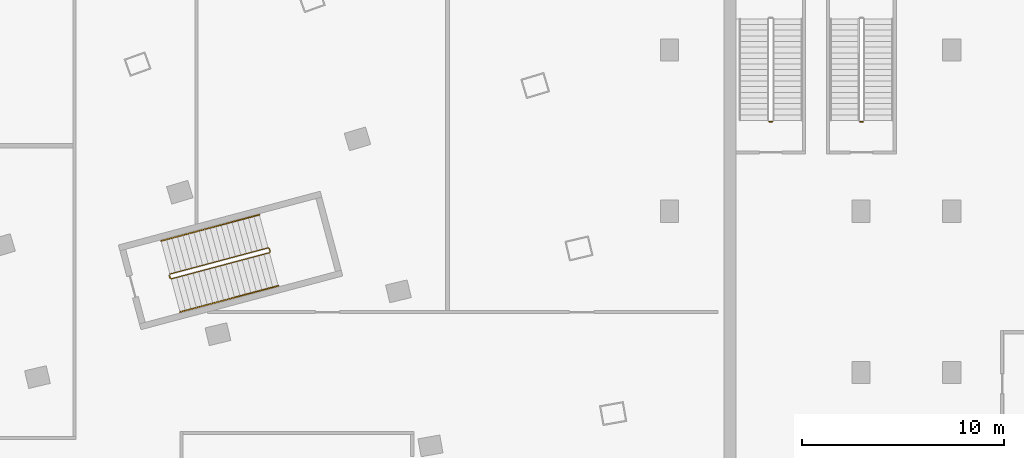
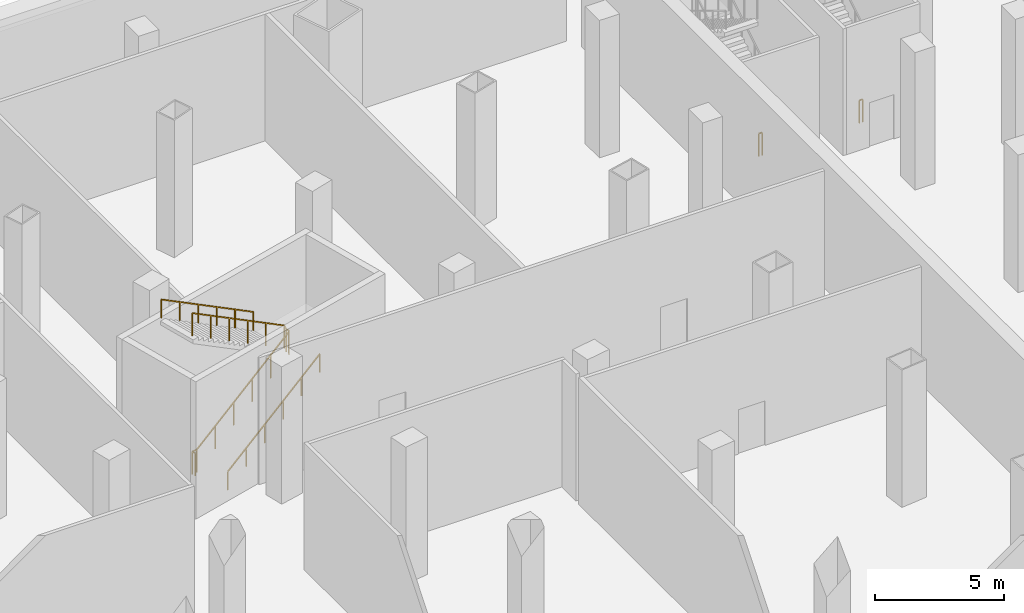
# One storey, part 14 of 16: 5 railings.
"""IFC4 building model written with IfcOpenShell, lengths in metres."""

from ifc_helpers import new_model, si_unit, direction, frame, origin, origin_2d, place, context, subcontext, project, spatial, rectangle, extrude, material, type_object, element, save


model = new_model("IFC4")

# Units and contexts
model_context = context("Model", 3, precision=1e-05, world=origin(), true_north=direction((0.0, 1.0)))
body_context = subcontext(model_context, "Body", "Model", "MODEL_VIEW")
ifc_project = project(units=[si_unit("LENGTHUNIT", "METRE"), si_unit("AREAUNIT", "SQUARE_METRE"), si_unit("VOLUMEUNIT", "CUBIC_METRE"), si_unit("PLANEANGLEUNIT", "RADIAN"), si_unit("MASSUNIT", "GRAM", prefix="KILO")], contexts=[model_context])

# Site, building, storey
site_placement = place(None, origin())
site = spatial("IfcSite", under=ifc_project, at=site_placement, CompositionType="ELEMENT")
building_placement = place(site_placement, origin())
building = spatial("IfcBuilding", under=site, at=building_placement, Name="Alderwake Tower", CompositionType="ELEMENT")
storey_placement = place(building_placement, frame((0.0, 0.0, -6.5)))
storey = spatial("IfcBuildingStorey", under=building, at=storey_placement, Name="B1", CompositionType="ELEMENT", Elevation=-6.5)

# Railings
ifc_material_1 = material(Name="Stainless steel guard", Category="steel")
railing_type_1 = type_object("IfcRailingType", Name="Stair guard 1100", PredefinedType="GUARDRAIL", material=ifc_material_1)
railing_1_placement = place(storey_placement, frame((39.23291015625, 92.6806640625, 0.0)))
element("IfcRailing", 1, at=railing_1_placement, inside=storey, type_object=railing_type_1, Name="B1 ST-A stair guard 1", PredefinedType="GUARDRAIL", context=body_context, shape_type="SweptSolid", body=[
    extrude(rectangle(XDim=0.048095703125, YDim=0.048095703125, at=origin_2d()), frame((0.0, 0.0, 1.076171875), z_axis=(-0.257055032184, 0.966396766566, 0.0), x_axis=(-0.966396766566, -0.257055032184, 0.0)), (0.0, 0.0, 1.0), 0.150146484375),
    extrude(rectangle(XDim=0.048095703125, YDim=0.048095703125, at=origin_2d()), frame((-0.03857421875, 0.14501953125, 1.076171875), z_axis=(0.372619250439, -0.673265589423, 0.638645707964), x_axis=(0.874937996095, 0.484234966715, 0.0)), (0.0, 0.0, 1.0), 0.26806640625),
    extrude(rectangle(XDim=0.048095703125, YDim=0.048095703125, at=origin_2d()), frame((0.061279296875, -0.035400390625, 1.2470703125), z_axis=(0.824608320298, 0.219669571589, 0.521312188053), x_axis=(-0.257415412185, 0.966300835956, 0.0)), (0.0, 0.0, 1.0), 5.906005859375),
    extrude(rectangle(XDim=0.048095703125, YDim=0.048095703125, at=origin_2d()), frame((4.931396484375, 1.261962890625, 4.326171875), z_axis=(0.501718089772, 0.865031189262, 0.0), x_axis=(-0.865031189262, 0.501718089772, 0.0)), (0.0, 0.0, 1.0), 0.070556640625),
    extrude(rectangle(XDim=0.048095703125, YDim=0.048095703125, at=origin_2d()), frame((4.966796875, 1.322998046875, 4.326171875), z_axis=(-0.257055032184, 0.966396766566, 0.0), x_axis=(-0.966396766566, -0.257055032184, 0.0)), (0.0, 0.0, 1.0), 0.150146484375),
    extrude(rectangle(XDim=0.048095703125, YDim=0.048095703125, at=origin_2d()), frame((4.92822265625, 1.468017578125, 4.326171875), z_axis=(-0.329711453596, 0.191232643086, 0.924510915883), x_axis=(-0.501718089772, -0.865031189262, 0.0)), (0.0, 0.0, 1.0), 0.18505859375),
    extrude(rectangle(XDim=0.048095703125, YDim=0.048095703125, at=origin_2d()), frame((4.8671875, 1.50341796875, 4.4970703125), z_axis=(-0.82462903563, -0.219622741306, 0.521299151252), x_axis=(0.257358133295, -0.966316092812, 0.0)), (0.0, 0.0, 1.0), 5.906005859375),
    extrude(rectangle(XDim=0.0419921875, YDim=0.0419921875, at=origin_2d()), frame((0.0, 0.0, 0.0), z_axis=(0.0, 0.0, 1.0), x_axis=(-0.257055032184, 0.966396766566, 0.0)), (0.0, 0.0, 1.0), 1.052001953125),
    extrude(rectangle(XDim=0.0419921875, YDim=0.0419921875, at=origin_2d()), frame((-0.03857421875, 0.14501953125, 0.0), z_axis=(0.0, 0.0, 1.0), x_axis=(0.484234966715, -0.874937996095, 0.0)), (0.0, 0.0, 1.0), 1.052001953125),
    extrude(rectangle(XDim=0.0419921875, YDim=0.0419921875, at=origin_2d()), frame((0.061279296875, -0.035400390625, 0.171142578125), z_axis=(0.0, 0.0, 1.0), x_axis=(0.966300835956, 0.257415412185, 0.0)), (0.0, 0.0, 1.0), 1.052001953125),
    extrude(rectangle(XDim=0.0419921875, YDim=0.0419921875, at=origin_2d()), frame((1.035400390625, 0.22412109375, 0.786865234375), z_axis=(0.0, 0.0, 1.0), x_axis=(0.966300835956, 0.257415412185, 0.0)), (0.0, 0.0, 1.0), 1.052001953125),
    extrude(rectangle(XDim=0.0419921875, YDim=0.0419921875, at=origin_2d()), frame((2.00927734375, 0.483642578125, 1.402587890625), z_axis=(0.0, 0.0, 1.0), x_axis=(0.966300835956, 0.257415412185, 0.0)), (0.0, 0.0, 1.0), 1.052001953125),
    extrude(rectangle(XDim=0.0419921875, YDim=0.0419921875, at=origin_2d()), frame((2.9833984375, 0.742919921875, 2.0185546875), z_axis=(0.0, 0.0, 1.0), x_axis=(0.966300835956, 0.257415412185, 0.0)), (0.0, 0.0, 1.0), 1.052001953125),
    extrude(rectangle(XDim=0.0419921875, YDim=0.0419921875, at=origin_2d()), frame((3.957275390625, 1.00244140625, 2.63427734375), z_axis=(0.0, 0.0, 1.0), x_axis=(0.966300835956, 0.257415412185, 0.0)), (0.0, 0.0, 1.0), 1.052001953125),
    extrude(rectangle(XDim=0.0419921875, YDim=0.0419921875, at=origin_2d()), frame((4.931396484375, 1.261962890625, 3.25), z_axis=(0.0, 0.0, 1.0), x_axis=(0.501718089772, 0.865031189262, 0.0)), (0.0, 0.0, 1.0), 1.052001953125),
    extrude(rectangle(XDim=0.0419921875, YDim=0.0419921875, at=origin_2d()), frame((4.966796875, 1.322998046875, 3.25), z_axis=(0.0, 0.0, 1.0), x_axis=(-0.257055032184, 0.966396766566, 0.0)), (0.0, 0.0, 1.0), 1.052001953125),
    extrude(rectangle(XDim=0.0419921875, YDim=0.0419921875, at=origin_2d()), frame((4.92822265625, 1.468017578125, 3.25), z_axis=(0.0, 0.0, 1.0), x_axis=(-0.865031189262, 0.501718089772, 0.0)), (0.0, 0.0, 1.0), 1.052001953125),
    extrude(rectangle(XDim=0.0419921875, YDim=0.0419921875, at=origin_2d()), frame((4.8671875, 1.50341796875, 3.421142578125), z_axis=(0.0, 0.0, 1.0), x_axis=(-0.966316092812, -0.257358133295, 0.0)), (0.0, 0.0, 1.0), 1.052001953125),
    extrude(rectangle(XDim=0.0419921875, YDim=0.0419921875, at=origin_2d()), frame((3.89306640625, 1.243896484375, 4.036865234375), z_axis=(0.0, 0.0, 1.0), x_axis=(-0.966316092812, -0.257358133295, 0.0)), (0.0, 0.0, 1.0), 1.052001953125),
    extrude(rectangle(XDim=0.0419921875, YDim=0.0419921875, at=origin_2d()), frame((2.9189453125, 0.984619140625, 4.652587890625), z_axis=(0.0, 0.0, 1.0), x_axis=(-0.966316092812, -0.257358133295, 0.0)), (0.0, 0.0, 1.0), 1.052001953125),
    extrude(rectangle(XDim=0.0419921875, YDim=0.0419921875, at=origin_2d()), frame((1.945068359375, 0.72509765625, 5.2685546875), z_axis=(0.0, 0.0, 1.0), x_axis=(-0.966316092812, -0.257358133295, 0.0)), (0.0, 0.0, 1.0), 1.052001953125),
    extrude(rectangle(XDim=0.0419921875, YDim=0.0419921875, at=origin_2d()), frame((0.970947265625, 0.4658203125, 5.88427734375), z_axis=(0.0, 0.0, 1.0), x_axis=(-0.966316092812, -0.257358133295, 0.0)), (0.0, 0.0, 1.0), 1.052001953125),
    extrude(rectangle(XDim=0.0419921875, YDim=0.0419921875, at=origin_2d()), frame((-0.003173828125, 0.206298828125, 6.5), z_axis=(0.0, 0.0, 1.0), x_axis=(-0.966316092812, -0.257358133295, 0.0)), (0.0, 0.0, 1.0), 1.052001953125),
])
for number, where, name in (
    (2, (69.10009765625, 100.449951171875, 0.0), "B1 ST-S3 stair guard 4"),
    (3, (73.60009765625, 100.449951171875, 0.0), "B1 ST-S4 stair guard 4"),
):
    element("IfcRailing", number, at=place(storey_placement, frame(where)), inside=storey, type_object=railing_type_1, Name=name, PredefinedType="GUARDRAIL", context=body_context, shape_type="SweptSolid", body=[
        extrude(rectangle(XDim=0.048095703125, YDim=0.048095703125, at=origin_2d()), frame((0.0, 0.0, 1.076171875), z_axis=(-1.0, 0.0, 0.0), x_axis=(0.0, -1.0, 0.0)), (0.0, 0.0, 1.0), 0.150146484375),
        extrude(rectangle(XDim=0.0419921875, YDim=0.0419921875, at=origin_2d()), frame((0.0, 0.0, 0.0), z_axis=(0.0, 0.0, 1.0), x_axis=(-1.0, 0.0, 0.0)), (0.0, 0.0, 1.0), 1.052001953125),
        extrude(rectangle(XDim=0.0419921875, YDim=0.0419921875, at=origin_2d()), frame((-0.150146484375, 0.0, 0.0), z_axis=(0.0, 0.0, 1.0), x_axis=(-1.0, 0.0, 0.0)), (0.0, 0.0, 1.0), 1.052001953125),
    ])
ifc_material_2 = material(Name="Stainless steel handrail", Category="steel")
railing_type_2 = type_object("IfcRailingType", Name="Stair handrail 900", PredefinedType="HANDRAIL", material=ifc_material_2)
railing_2_placement = place(storey_placement, frame((39.731689453125, 91.002685546875, 0.171142578125)))
element("IfcRailing", 4, at=railing_2_placement, inside=storey, type_object=railing_type_2, Name="B1 ST-A stair handrail 1", PredefinedType="HANDRAIL", context=body_context, shape_type="SweptSolid", body=[
    extrude(rectangle(XDim=0.048095703125, YDim=0.048095703125, at=origin_2d()), frame((0.0, 0.0, 0.8759765625), z_axis=(0.824615807698, 0.219630227908, 0.52131692154), x_axis=(-0.257370180181, 0.966312884294, 0.0)), (0.0, 0.0, 1.0), 5.906005859375),
    extrude(rectangle(XDim=0.0419921875, YDim=0.0419921875, at=origin_2d()), frame((0.0, 0.0, 0.0), z_axis=(0.0, 0.0, 1.0), x_axis=(0.966312884294, 0.257370180181, 0.0)), (0.0, 0.0, 1.0), 0.851806640625),
    extrude(rectangle(XDim=0.0419921875, YDim=0.0419921875, at=origin_2d()), frame((0.97412109375, 0.259521484375, 0.61572265625), z_axis=(0.0, 0.0, 1.0), x_axis=(0.966312884294, 0.257370180181, 0.0)), (0.0, 0.0, 1.0), 0.851806640625),
    extrude(rectangle(XDim=0.0419921875, YDim=0.0419921875, at=origin_2d()), frame((1.947998046875, 0.518798828125, 1.2314453125), z_axis=(0.0, 0.0, 1.0), x_axis=(0.966312884294, 0.257370180181, 0.0)), (0.0, 0.0, 1.0), 0.851806640625),
    extrude(rectangle(XDim=0.0419921875, YDim=0.0419921875, at=origin_2d()), frame((2.922119140625, 0.7783203125, 1.847412109375), z_axis=(0.0, 0.0, 1.0), x_axis=(0.966312884294, 0.257370180181, 0.0)), (0.0, 0.0, 1.0), 0.851806640625),
    extrude(rectangle(XDim=0.0419921875, YDim=0.0419921875, at=origin_2d()), frame((3.89599609375, 1.03759765625, 2.463134765625), z_axis=(0.0, 0.0, 1.0), x_axis=(0.966312884294, 0.257370180181, 0.0)), (0.0, 0.0, 1.0), 0.851806640625),
    extrude(rectangle(XDim=0.0419921875, YDim=0.0419921875, at=origin_2d()), frame((4.8701171875, 1.297119140625, 3.078857421875), z_axis=(0.0, 0.0, 1.0), x_axis=(0.966312884294, 0.257370180181, 0.0)), (0.0, 0.0, 1.0), 0.851806640625),
])
railing_3_placement = place(storey_placement, frame((43.662353515625, 95.826904296875, 3.421142578125)))
element("IfcRailing", 5, at=railing_3_placement, inside=storey, type_object=railing_type_2, Name="B1 ST-A stair handrail 2", PredefinedType="HANDRAIL", context=body_context, shape_type="SweptSolid", body=[
    extrude(rectangle(XDim=0.048095703125, YDim=0.048095703125, at=origin_2d()), frame((0.0, 0.0, 0.8759765625), z_axis=(-0.824608320298, -0.219669571589, 0.521312188053), x_axis=(0.257415412185, -0.966300835956, 0.0)), (0.0, 0.0, 1.0), 5.906005859375),
    extrude(rectangle(XDim=0.0419921875, YDim=0.0419921875, at=origin_2d()), frame((0.0, 0.0, 0.0), z_axis=(0.0, 0.0, 1.0), x_axis=(-0.966300835956, -0.257415412185, 0.0)), (0.0, 0.0, 1.0), 0.851806640625),
    extrude(rectangle(XDim=0.0419921875, YDim=0.0419921875, at=origin_2d()), frame((-0.97412109375, -0.259521484375, 0.61572265625), z_axis=(0.0, 0.0, 1.0), x_axis=(-0.966300835956, -0.257415412185, 0.0)), (0.0, 0.0, 1.0), 0.851806640625),
    extrude(rectangle(XDim=0.0419921875, YDim=0.0419921875, at=origin_2d()), frame((-1.947998046875, -0.51904296875, 1.2314453125), z_axis=(0.0, 0.0, 1.0), x_axis=(-0.966300835956, -0.257415412185, 0.0)), (0.0, 0.0, 1.0), 0.851806640625),
    extrude(rectangle(XDim=0.0419921875, YDim=0.0419921875, at=origin_2d()), frame((-2.922119140625, -0.7783203125, 1.847412109375), z_axis=(0.0, 0.0, 1.0), x_axis=(-0.966300835956, -0.257415412185, 0.0)), (0.0, 0.0, 1.0), 0.851806640625),
    extrude(rectangle(XDim=0.0419921875, YDim=0.0419921875, at=origin_2d()), frame((-3.89599609375, -1.037841796875, 2.463134765625), z_axis=(0.0, 0.0, 1.0), x_axis=(-0.966300835956, -0.257415412185, 0.0)), (0.0, 0.0, 1.0), 0.851806640625),
    extrude(rectangle(XDim=0.0419921875, YDim=0.0419921875, at=origin_2d()), frame((-4.8701171875, -1.29736328125, 3.078857421875), z_axis=(0.0, 0.0, 1.0), x_axis=(-0.966300835956, -0.257415412185, 0.0)), (0.0, 0.0, 1.0), 0.851806640625),
])

save(model, "model.ifc")
